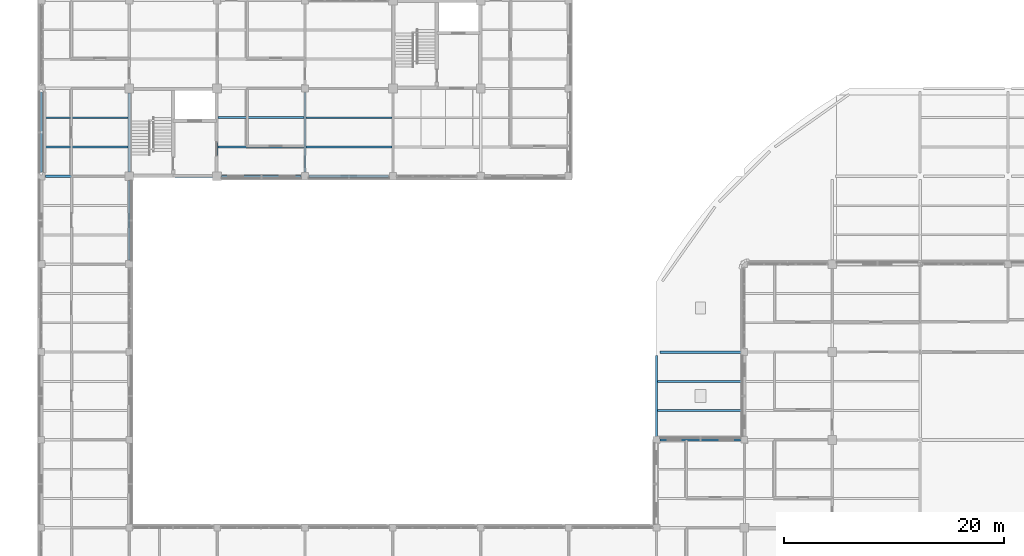
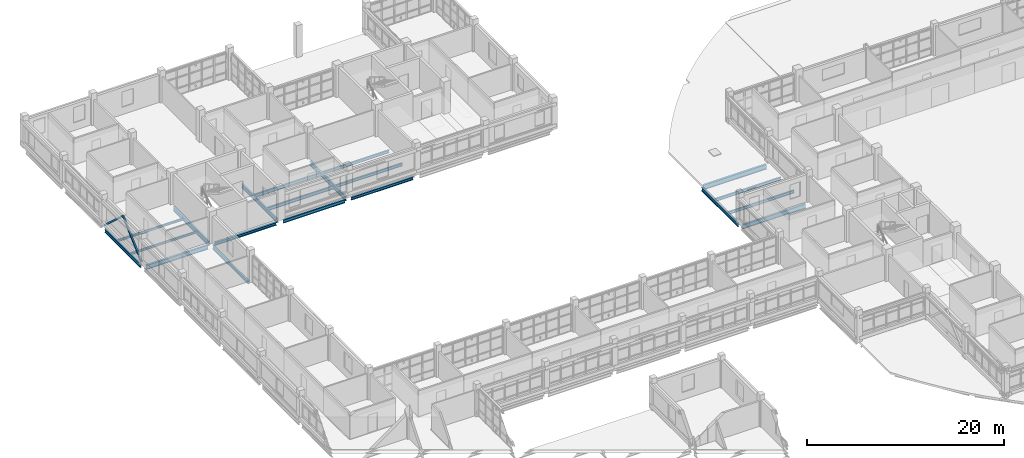
# One storey, part 33 of 126: 20 beams, 2 members.
"""IFC4 building model written with IfcOpenShell, lengths in metres."""

from ifc_helpers import new_model, si_unit, derived_unit, direction, frame, origin, origin_2d, place, context, subcontext, project, spatial, hollow_rectangle, i_section, extrude, material, material_profile, profile_set, type_object, element, save


model = new_model("IFC4")

# Units and contexts
model_context = context("Model", 3, precision=1e-05, world=origin(), true_north=direction((0.0, 1.0)))
body_context = subcontext(model_context, "Body", "Model", "MODEL_VIEW")
ifc_project = project(units=[si_unit("LENGTHUNIT", "METRE"), si_unit("AREAUNIT", "SQUARE_METRE"), si_unit("VOLUMEUNIT", "CUBIC_METRE"), si_unit("PLANEANGLEUNIT", "RADIAN"), si_unit("MASSUNIT", "GRAM", prefix="KILO"), derived_unit("THERMALTRANSMITTANCEUNIT", [(si_unit("MASSUNIT", "GRAM", prefix="KILO"), 1), (si_unit("TIMEUNIT", "SECOND"), -3), (si_unit("THERMODYNAMICTEMPERATUREUNIT", "KELVIN"), -1)])], contexts=[model_context])

# Site, building, storey
site_placement = place(None, origin())
site = spatial("IfcSite", under=ifc_project, at=site_placement, CompositionType="ELEMENT")
building_placement = place(site_placement, origin())
building = spatial("IfcBuilding", under=site, at=building_placement, Name="Veyamyaing Civic Hall", CompositionType="ELEMENT")
storey_placement = place(building_placement, frame((0.0, 0.0, 9.89990234375)))
storey = spatial("IfcBuildingStorey", under=building, at=storey_placement, Name="L02", CompositionType="ELEMENT", Elevation=9.89990234375)

# Beams
ifc_material_1 = material(Name="Steel ASTM A992", Category="steel")
ifc_material_profile_1 = material_profile(ifc_material_1, i_section(OverallWidth=0.22802734375, OverallDepth=0.60791015625, WebThickness=0.01123046875, FlangeThickness=0.017333984375, FilletRadius=0.012939453125, at=origin_2d()), Name="W610X113")
ifc_profile_set_1 = profile_set([ifc_material_profile_1], Name="Steel ASTM A992")
beam_type_1 = type_object("IfcBeamType", Name="B-06", PredefinedType="BEAM", material=ifc_profile_set_1)
beam_1_placement = place(storey_placement, frame((56.300048828125, 72.0, -0.5439453125), z_axis=(1.0, 0.0, 0.0), x_axis=(0.0, 1.0, 0.0)))
element("IfcBeam", 1, at=beam_1_placement, inside=storey, type_object=beam_type_1, Name="Girder B-06 L02 Grid K 8-9", PredefinedType="BEAM", context=body_context, shape_type="SweptSolid", body=[
    extrude(i_section(OverallWidth=0.22802734375, OverallDepth=0.60791015625, WebThickness=0.01123046875, FlangeThickness=0.017333984375, FilletRadius=0.012939453125, at=origin_2d()), origin(), (0.0, 0.0, 1.0), 7.39990234375),
])
ifc_material_profile_2 = material_profile(ifc_material_1, i_section(OverallWidth=0.208984375, OverallDepth=0.532958984375, WebThickness=0.01025390625, FlangeThickness=0.015625, FilletRadius=0.011962890625, at=origin_2d()), Name="W530X92")
ifc_profile_set_2 = profile_set([ifc_material_profile_2], Name="Steel ASTM A992")
beam_type_2 = type_object("IfcBeamType", Name="B-07", PredefinedType="BEAM", material=ifc_profile_set_2)
beam_2_placement = place(storey_placement, frame((8.0, 88.39990234375, -0.551513671875), z_axis=(0.0, 1.0, 0.0), x_axis=(-1.0, 0.0, 0.0)))
element("IfcBeam", 2, at=beam_2_placement, inside=storey, type_object=beam_type_2, Name="Girder B-07 L02 Grid 2 M-N", PredefinedType="BEAM", context=body_context, shape_type="SweptSolid", body=[
    extrude(i_section(OverallWidth=0.208984375, OverallDepth=0.532958984375, WebThickness=0.01025390625, FlangeThickness=0.015625, FilletRadius=0.011962890625, at=origin_2d()), origin(), (0.0, 0.0, 1.0), 7.2001953125),
])
ifc_material_profile_3 = material_profile(ifc_material_1, i_section(OverallWidth=0.19189453125, OverallDepth=0.462890625, WebThickness=0.010498046875, FlangeThickness=0.017578125, FilletRadius=0.010009765625, at=origin_2d()), Name="W460X89")
ifc_profile_set_3 = profile_set([ifc_material_profile_3], Name="Steel ASTM A992")
beam_type_3 = type_object("IfcBeamType", Name="B-08", PredefinedType="BEAM", material=ifc_profile_set_3)
beam_3_placement = place(storey_placement, frame((16.0, 88.39990234375, -0.516357421875), z_axis=(0.0, 1.0, 0.0), x_axis=(-1.0, 0.0, 0.0)))
element("IfcBeam", 3, at=beam_3_placement, inside=storey, type_object=beam_type_3, Name="Girder B-08 L02 Grid 3 M-N", PredefinedType="BEAM", context=body_context, shape_type="SweptSolid", body=[
    extrude(i_section(OverallWidth=0.19189453125, OverallDepth=0.462890625, WebThickness=0.010498046875, FlangeThickness=0.017578125, FilletRadius=0.010009765625, at=origin_2d()), origin(), (0.0, 0.0, 1.0), 7.2001953125),
])
ifc_material_profile_4 = material_profile(ifc_material_1, i_section(OverallWidth=0.179931640625, OverallDepth=0.4130859375, WebThickness=0.009765625, FlangeThickness=0.01611328125, FilletRadius=0.010009765625, at=origin_2d()), Name="W410X74")
ifc_profile_set_4 = profile_set([ifc_material_profile_4], Name="Steel ASTM A992")
beam_type_4 = type_object("IfcBeamType", Name="B-10", PredefinedType="SPANDREL", material=ifc_profile_set_4)
beam_4_placement = place(storey_placement, frame((16.39990234375, 88.0, -0.491455078125), z_axis=(1.0, 0.0, 0.0), x_axis=(0.0, 1.0, 0.0)))
element("IfcBeam", 4, at=beam_4_placement, inside=storey, type_object=beam_type_4, Name="Girder B-10 L02 Grid M 3-4", PredefinedType="SPANDREL", context=body_context, shape_type="SweptSolid", body=[
    extrude(i_section(OverallWidth=0.179931640625, OverallDepth=0.4130859375, WebThickness=0.009765625, FlangeThickness=0.01611328125, FilletRadius=0.010009765625, at=origin_2d()), origin(), (0.0, 0.0, 1.0), 7.22509765625),
])
ifc_material_profile_5 = material_profile(ifc_material_1, i_section(OverallWidth=0.2041015625, OverallDepth=0.35009765625, WebThickness=0.0078125, FlangeThickness=0.01513671875, FilletRadius=0.010009765625, at=origin_2d()), Name="W360X72")
ifc_profile_set_5 = profile_set([ifc_material_profile_5], Name="Steel ASTM A992")
beam_type_5 = type_object("IfcBeamType", Name="B-11", PredefinedType="SPANDREL", material=ifc_profile_set_5)
beam_5_placement = place(storey_placement, frame((24.375, 88.0, -0.4599609375), z_axis=(1.0, 0.0, 0.0), x_axis=(0.0, 1.0, 0.0)))
element("IfcBeam", 5, at=beam_5_placement, inside=storey, type_object=beam_type_5, Name="Girder B-11 L02 Grid M 4-5", PredefinedType="SPANDREL", context=body_context, shape_type="SweptSolid", body=[
    extrude(i_section(OverallWidth=0.2041015625, OverallDepth=0.35009765625, WebThickness=0.0078125, FlangeThickness=0.01513671875, FilletRadius=0.010009765625, at=origin_2d()), origin(), (0.0, 0.0, 1.0), 7.25),
])
ifc_material_profile_6 = material_profile(ifc_material_1, i_section(OverallWidth=0.2109375, OverallDepth=0.5390625, WebThickness=0.01171875, FlangeThickness=0.018798828125, FilletRadius=0.011962890625, at=origin_2d()), Name="W530X109")
ifc_profile_set_6 = profile_set([ifc_material_profile_6], Name="Steel ASTM A992")
beam_type_6 = type_object("IfcBeamType", Name="B-17", PredefinedType="BEAM", material=ifc_profile_set_6)
beam_6_placement = place(storey_placement, frame((56.300048828125, 64.0, -0.554443359375), z_axis=(1.0, 0.0, 0.0), x_axis=(0.0, 1.0, 0.0)))
element("IfcBeam", 6, at=beam_6_placement, inside=storey, type_object=beam_type_6, Name="Girder B-17 L02 Grid J 8-9", PredefinedType="BEAM", context=body_context, shape_type="SweptSolid", body=[
    extrude(i_section(OverallWidth=0.2109375, OverallDepth=0.5390625, WebThickness=0.01171875, FlangeThickness=0.018798828125, FilletRadius=0.011962890625, at=origin_2d()), origin(), (0.0, 0.0, 1.0), 7.39990234375),
])
beam_7_placement = place(storey_placement, frame((0.375, 88.0, -0.554443359375), z_axis=(1.0, 0.0, 0.0), x_axis=(0.0, 1.0, 0.0)))
element("IfcBeam", 7, at=beam_7_placement, inside=storey, type_object=beam_type_6, Name="Girder B-17 L02 Grid M 1-2", PredefinedType="BEAM", context=body_context, shape_type="SweptSolid", body=[
    extrude(i_section(OverallWidth=0.2109375, OverallDepth=0.5390625, WebThickness=0.01171875, FlangeThickness=0.018798828125, FilletRadius=0.011962890625, at=origin_2d()), origin(), (0.0, 0.0, 1.0), 7.22509765625),
])
beam_8_placement = place(storey_placement, frame((24.0, 88.375, -0.554443359375), z_axis=(0.0, 1.0, 0.0), x_axis=(-1.0, 0.0, 0.0)))
element("IfcBeam", 8, at=beam_8_placement, inside=storey, type_object=beam_type_6, Name="Girder B-17 L02 Grid 4 M-N", PredefinedType="BEAM", context=body_context, shape_type="SweptSolid", body=[
    extrude(i_section(OverallWidth=0.2109375, OverallDepth=0.5390625, WebThickness=0.01171875, FlangeThickness=0.018798828125, FilletRadius=0.011962890625, at=origin_2d()), origin(), (0.0, 0.0, 1.0), 7.25),
])
ifc_material_profile_7 = material_profile(ifc_material_1, i_section(OverallWidth=0.180908203125, OverallDepth=0.4169921875, WebThickness=0.010986328125, FlangeThickness=0.018310546875, FilletRadius=0.010009765625, at=origin_2d()), Name="W410X85")
ifc_profile_set_7 = profile_set([ifc_material_profile_7], Name="Steel ASTM A992")
beam_type_7 = type_object("IfcBeamType", Name="B-19", PredefinedType="SPANDREL", material=ifc_profile_set_7)
beam_9_placement = place(storey_placement, frame((0.0, 88.375, -0.493408203125), z_axis=(0.0, 1.0, 0.0), x_axis=(-1.0, 0.0, 0.0)))
element("IfcBeam", 9, at=beam_9_placement, inside=storey, type_object=beam_type_7, Name="Girder B-19 L02 Grid 1 M-N", PredefinedType="SPANDREL", context=body_context, shape_type="SweptSolid", body=[
    extrude(i_section(OverallWidth=0.180908203125, OverallDepth=0.4169921875, WebThickness=0.010986328125, FlangeThickness=0.018310546875, FilletRadius=0.010009765625, at=origin_2d()), origin(), (0.0, 0.0, 1.0), 7.25),
])
beam_10_placement = place(storey_placement, frame((8.0, 80.375, -0.493408203125), z_axis=(0.0, 1.0, 0.0), x_axis=(-1.0, 0.0, 0.0)))
element("IfcBeam", 10, at=beam_10_placement, inside=storey, type_object=beam_type_7, Name="Girder B-19 L02 Grid 2 L-M", PredefinedType="SPANDREL", context=body_context, shape_type="SweptSolid", body=[
    extrude(i_section(OverallWidth=0.180908203125, OverallDepth=0.4169921875, WebThickness=0.010986328125, FlangeThickness=0.018310546875, FilletRadius=0.010009765625, at=origin_2d()), origin(), (0.0, 0.0, 1.0), 7.22509765625),
])
beam_11_placement = place(storey_placement, frame((56.0, 64.300048828125, -0.448486328125), z_axis=(0.0, 1.0, 0.0), x_axis=(-1.0, 0.0, 0.0)))
element("IfcBeam", 11, at=beam_11_placement, inside=storey, type_object=beam_type_7, Name="Girder B-19 L02 Grid 8 J-K", PredefinedType="SPANDREL", context=body_context, shape_type="SweptSolid", body=[
    extrude(i_section(OverallWidth=0.180908203125, OverallDepth=0.4169921875, WebThickness=0.010986328125, FlangeThickness=0.018310546875, FilletRadius=0.010009765625, at=origin_2d()), origin(), (0.0, 0.0, 1.0), 7.39990234375),
])
ifc_material_profile_8 = material_profile(ifc_material_1, i_section(OverallWidth=0.25390625, OverallDepth=0.35302734375, WebThickness=0.009521484375, FlangeThickness=0.016357421875, FilletRadius=0.011962890625, at=origin_2d()), Name="W360X91")
ifc_profile_set_8 = profile_set([ifc_material_profile_8], Name="Steel ASTM A992")
beam_type_8 = type_object("IfcBeamType", Name="B-20", PredefinedType="SPANDREL", material=ifc_profile_set_8)
beam_12_placement = place(storey_placement, frame((8.39990234375, 88.0, -0.46142578125), z_axis=(1.0, 0.0, 0.0), x_axis=(0.0, 1.0, 0.0)))
element("IfcBeam", 12, at=beam_12_placement, inside=storey, type_object=beam_type_8, Name="Girder B-20 L02 Grid M 2-3", PredefinedType="SPANDREL", context=body_context, shape_type="SweptSolid", body=[
    extrude(i_section(OverallWidth=0.25390625, OverallDepth=0.35302734375, WebThickness=0.009521484375, FlangeThickness=0.016357421875, FilletRadius=0.011962890625, at=origin_2d()), origin(), (0.0, 0.0, 1.0), 7.2001953125),
])

# Members
ifc_material_2 = material(Name="Steel S355J2", Category="steel")
ifc_material_profile_9 = material_profile(ifc_material_2, hollow_rectangle(XDim=0.177978515625, YDim=0.177978515625, WallThickness=0.009521484375, at=origin_2d()), Name="HSS178X178X9.5")
ifc_profile_set_9 = profile_set([ifc_material_profile_9], Name="Steel S355J2")
member_type = type_object("IfcMemberType", Name="BR-04", PredefinedType="BRACE", material=ifc_profile_set_9)
for number, where, z_axis, x_axis, name in (
    (13, (0.0, 88.219970703125, 0.050048828125), (0.0, 0.737646368513, 0.675187259224), (-1.0, 0.0, 0.0), "Seismic chevron brace BR-04 BF-NW L02.L"),
    (14, (0.0, 95.780029296875, 0.050048828125), (0.0, -0.737646368513, 0.675187259224), (1.0, 0.0, 0.0), "Seismic chevron brace BR-04 BF-NW L02.R"),
):
    element("IfcMember", number, at=place(storey_placement, frame(where, z_axis=z_axis, x_axis=x_axis)), inside=storey, type_object=member_type, Name=name, PredefinedType="BRACE", context=body_context, shape_type="SweptSolid", body=[
        extrude(hollow_rectangle(XDim=0.177978515625, YDim=0.177978515625, WallThickness=0.009521484375, at=origin_2d()), origin(), (0.0, 0.0, 1.0), 5.12451171875),
    ])

# Beams
ifc_material_profile_10 = material_profile(ifc_material_1, i_section(OverallWidth=0.177978515625, OverallDepth=0.406982421875, WebThickness=0.0078125, FlangeThickness=0.0126953125, FilletRadius=0.010009765625, at=origin_2d()), Name="W410X60")
ifc_profile_set_10 = profile_set([ifc_material_profile_10], Name="Steel ASTM A992")
beam_type_9 = type_object("IfcBeamType", Name="J-01", PredefinedType="JOIST", material=ifc_profile_set_10)
for number, where, z_axis, x_axis, name in (
    (15, (16.093994140625, 90.666748046875, -0.48828125), (1.0, 0.0, 0.0), (0.0, 1.0, 0.0), "Composite floor joist J-01 L02 3.12.1"),
    (16, (16.093994140625, 93.333251953125, -0.48828125), (1.0, 0.0, 0.0), (0.0, 1.0, 0.0), "Composite floor joist J-01 L02 3.12.2"),
):
    element("IfcBeam", number, at=place(storey_placement, frame(where, z_axis=z_axis, x_axis=x_axis)), inside=storey, type_object=beam_type_9, Name=name, PredefinedType="JOIST", context=body_context, shape_type="SweptSolid", body=[
        extrude(i_section(OverallWidth=0.177978515625, OverallDepth=0.406982421875, WebThickness=0.0078125, FlangeThickness=0.0126953125, FilletRadius=0.010009765625, at=origin_2d()), origin(), (0.0, 0.0, 1.0), 7.802490234375),
    ])
ifc_material_profile_11 = material_profile(ifc_material_1, i_section(OverallWidth=0.172119140625, OverallDepth=0.35791015625, WebThickness=0.0078125, FlangeThickness=0.01318359375, FilletRadius=0.010009765625, at=origin_2d()), Name="W360X57")
ifc_profile_set_11 = profile_set([ifc_material_profile_11], Name="Steel ASTM A992")
beam_type_10 = type_object("IfcBeamType", Name="J-02", PredefinedType="JOIST", material=ifc_profile_set_11)
for number, where, z_axis, x_axis, name in (
    (17, (24.103515625, 90.666748046875, -0.4638671875), (1.0, 0.0, 0.0), (0.0, 1.0, 0.0), "Composite floor joist J-02 L02 4.12.1"),
    (18, (24.103515625, 93.333251953125, -0.4638671875), (1.0, 0.0, 0.0), (0.0, 1.0, 0.0), "Composite floor joist J-02 L02 4.12.2"),
):
    element("IfcBeam", number, at=place(storey_placement, frame(where, z_axis=z_axis, x_axis=x_axis)), inside=storey, type_object=beam_type_10, Name=name, PredefinedType="JOIST", context=body_context, shape_type="SweptSolid", body=[
        extrude(i_section(OverallWidth=0.172119140625, OverallDepth=0.35791015625, WebThickness=0.0078125, FlangeThickness=0.01318359375, FilletRadius=0.010009765625, at=origin_2d()), origin(), (0.0, 0.0, 1.0), 7.801513671875),
    ])
ifc_material_profile_12 = material_profile(ifc_material_1, i_section(OverallWidth=0.1708984375, OverallDepth=0.35205078125, WebThickness=0.0068359375, FlangeThickness=0.009765625, FilletRadius=0.010009765625, at=origin_2d()), Name="W360X44")
ifc_profile_set_12 = profile_set([ifc_material_profile_12], Name="Steel ASTM A992")
beam_type_11 = type_object("IfcBeamType", Name="J-03", PredefinedType="JOIST", material=ifc_profile_set_12)
for number, where, z_axis, x_axis, name in (
    (19, (56.08837890625, 66.666748046875, -0.4609375), (1.0, 0.0, 0.0), (0.0, 1.0, 0.0), "Composite floor joist J-03 L02 8.9.1"),
    (20, (56.08837890625, 69.333251953125, -0.4609375), (1.0, 0.0, 0.0), (0.0, 1.0, 0.0), "Composite floor joist J-03 L02 8.9.2"),
):
    element("IfcBeam", number, at=place(storey_placement, frame(where, z_axis=z_axis, x_axis=x_axis)), inside=storey, type_object=beam_type_11, Name=name, PredefinedType="JOIST", context=body_context, shape_type="SweptSolid", body=[
        extrude(i_section(OverallWidth=0.1708984375, OverallDepth=0.35205078125, WebThickness=0.0068359375, FlangeThickness=0.009765625, FilletRadius=0.010009765625, at=origin_2d()), origin(), (0.0, 0.0, 1.0), 7.80908203125),
    ])
ifc_material_profile_13 = material_profile(ifc_material_1, i_section(OverallWidth=0.14794921875, OverallDepth=0.26611328125, WebThickness=0.007568359375, FlangeThickness=0.012939453125, FilletRadius=0.010009765625, at=origin_2d()), Name="W250X45")
ifc_profile_set_13 = profile_set([ifc_material_profile_13], Name="Steel ASTM A992")
beam_type_12 = type_object("IfcBeamType", Name="J-07", PredefinedType="JOIST", material=ifc_profile_set_13)
for number, where, z_axis, x_axis, name in (
    (21, (0.08837890625, 90.666748046875, -0.41796875), (1.0, 0.0, 0.0), (0.0, 1.0, 0.0), "Composite floor joist J-07 L02 1.12.1"),
    (22, (0.08837890625, 93.333251953125, -0.41796875), (1.0, 0.0, 0.0), (0.0, 1.0, 0.0), "Composite floor joist J-07 L02 1.12.2"),
):
    element("IfcBeam", number, at=place(storey_placement, frame(where, z_axis=z_axis, x_axis=x_axis)), inside=storey, type_object=beam_type_12, Name=name, PredefinedType="JOIST", context=body_context, shape_type="SweptSolid", body=[
        extrude(i_section(OverallWidth=0.14794921875, OverallDepth=0.26611328125, WebThickness=0.007568359375, FlangeThickness=0.012939453125, FilletRadius=0.010009765625, at=origin_2d()), origin(), (0.0, 0.0, 1.0), 7.80908203125),
    ])

save(model, "model.ifc")
